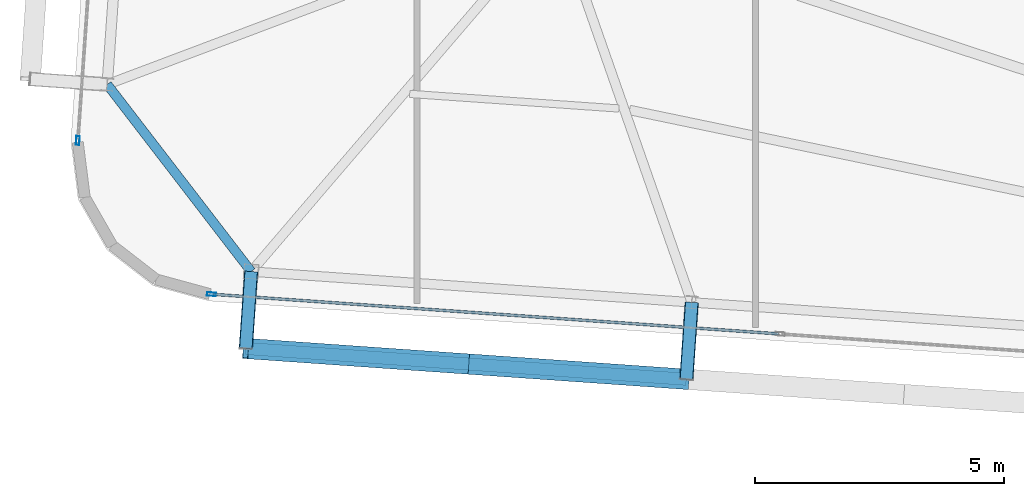
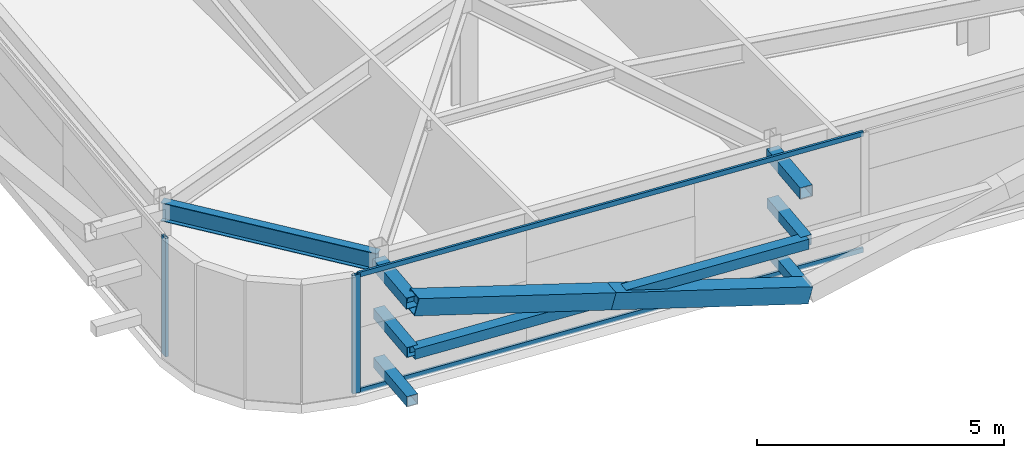
# One storey, part 6 of 39: 13 members, 1 beam, 2 elements without a shape of their own.
"""IFC4 building model written with IfcOpenShell, lengths in metres."""

from ifc_helpers import new_model, si_unit, direction, frame, origin, origin_2d, place, context, subcontext, project, spatial, hollow_rectangle, i_section, extrude, source, transform, mapped, material, layer, layer_set, material_profile, profile_set, type_object, element, aggregate, save


model = new_model("IFC4")

# Units and contexts
model_context = context("Model", 3, precision=1e-05, world=origin(), true_north=direction((0.0, 1.0)))
body_context = subcontext(model_context, "Body", "Model", "MODEL_VIEW")
ifc_project = project(units=[si_unit("LENGTHUNIT", "METRE"), si_unit("AREAUNIT", "SQUARE_METRE"), si_unit("VOLUMEUNIT", "CUBIC_METRE"), si_unit("PLANEANGLEUNIT", "RADIAN"), si_unit("MASSUNIT", "GRAM", prefix="KILO")], contexts=[model_context])

# Site, building, storey
site_placement = place(None, origin())
site = spatial("IfcSite", under=ifc_project, at=site_placement, CompositionType="ELEMENT")
building_placement = place(site_placement, origin())
building = spatial("IfcBuilding", under=site, at=building_placement, Name="Taldren Reach Tower", CompositionType="ELEMENT")
storey_placement = place(building_placement, frame((0.0, 0.0, 136.14990234375)))
storey = spatial("IfcBuildingStorey", under=building, at=storey_placement, Name="L41", CompositionType="ELEMENT", Elevation=136.14990234375)

# Members
ifc_material_1 = material(Name="Steel Gr 450 (C450L0)", Category="steel")
ifc_material_profile_1 = material_profile(ifc_material_1, hollow_rectangle(XDim=0.27490234375, YDim=0.27490234375, WallThickness=0.00927734375, at=origin_2d()), Name="275x275x9.3SHS")
ifc_profile_set_1 = profile_set([ifc_material_profile_1], Name="Steel Gr 450 (C450L0)")
member_type_1 = type_object("IfcMemberType", Name="MB-TIE273", PredefinedType="STRUT", material=ifc_profile_set_1)
shared_shape_1 = source(origin(), body_context, "Body", "SweptSolid", [
    extrude(hollow_rectangle(XDim=0.27490234375, YDim=0.27490234375, WallThickness=0.00927734375, at=origin_2d()), origin(), (0.0, 0.0, 1.0), 1.5498046875),
])
for number, where, z_axis, x_axis, name in (
    (1, (11.863525390625, 5.33837890625, 2.650146484375), (-0.069780535098, -0.997562367434, 0.0), (0.997562367434, -0.069780535098, 0.0), "Exoskeleton diaphragm tie strut B3-S1 L41"),
    (2, (20.721923828125, 4.718994140625, 2.650146484375), (-0.069780535098, -0.997562367434, 0.0), (0.997562367434, -0.069780535098, 0.0), "Exoskeleton diaphragm tie strut B3-S2 L41"),
):
    element("IfcMember", number, at=place(storey_placement, frame(where, z_axis=z_axis, x_axis=x_axis)), inside=storey, type_object=member_type_1, Name=name, PredefinedType="STRUT", context=body_context, shape_type="MappedRepresentation", body=[
        mapped(shared_shape_1, transform((0.0, 0.0, 0.0), scale=1.0)),
    ])
ifc_material_2 = material(Name="Steel Gr 350 (C350L0)", Category="steel")
ifc_material_profile_2 = material_profile(ifc_material_2, hollow_rectangle(XDim=0.25, YDim=0.25, WallThickness=0.010009765625, at=origin_2d()), Name="250x250x10.0SHS")
ifc_profile_set_2 = profile_set([ifc_material_profile_2], Name="Steel Gr 350 (C350L0)")
member_type_2 = type_object("IfcMemberType", Name="MB-POST250", PredefinedType="POST", material=ifc_profile_set_2)
shared_shape_2 = source(origin(), body_context, "Body", "SweptSolid", [
    extrude(hollow_rectangle(XDim=0.25, YDim=0.25, WallThickness=0.010009765625, at=origin_2d()), origin(), (0.0, 0.0, 1.0), 1.5498046875),
])
for number, where, z_axis, x_axis, name in (
    (3, (11.863525390625, 5.33837890625, 0.22021484375), (-0.069780535098, -0.997562367434, 0.0), (0.997562367434, -0.069780535098, 0.0), "Exoskeleton base diaphragm tie strut B3-S1 L41"),
    (4, (20.721923828125, 4.718994140625, 0.22021484375), (-0.069780535098, -0.997562367434, 0.0), (0.997562367434, -0.069780535098, 0.0), "Exoskeleton base diaphragm tie strut B3-S2 L41"),
    (5, (11.863525390625, 5.33837890625, 1.43505859375), (-0.069780535098, -0.997562367434, 0.0), (0.997562367434, -0.069780535098, 0.0), "Exoskeleton mid-tier diaphragm tie B3-S1 L41"),
    (6, (20.721923828125, 4.718994140625, 1.43505859375), (-0.069780535098, -0.997562367434, 0.0), (0.997562367434, -0.069780535098, 0.0), "Exoskeleton mid-tier diaphragm tie B3-S2 L41"),
):
    element("IfcMember", number, at=place(storey_placement, frame(where, z_axis=z_axis, x_axis=x_axis)), inside=storey, type_object=member_type_2, Name=name, PredefinedType="POST", context=body_context, shape_type="MappedRepresentation", body=[
        mapped(shared_shape_2, transform((0.0, 0.0, 0.0), scale=1.0)),
    ])

# Beam
ifc_material_3 = material(Name="Steel Gr 350 (350PLUS)", Category="steel")
ifc_material_profile_3 = material_profile(ifc_material_3, i_section(OverallWidth=0.18994140625, OverallDepth=0.4541015625, WebThickness=0.008544921875, FlangeThickness=0.0126953125, at=origin_2d()), Name="460UB67.1")
ifc_profile_set_3 = profile_set([ifc_material_profile_3], Name="Steel Gr 350 (350PLUS)")
beam_type = type_object("IfcBeamType", Name="SP-UB460B", PredefinedType="SPANDREL", material=ifc_profile_set_3)
shared_shape_3 = source(origin(), body_context, "Body", "SweptSolid", [
    extrude(i_section(OverallWidth=0.18994140625, OverallDepth=0.4541015625, WebThickness=0.008544921875, FlangeThickness=0.0126953125, at=origin_2d()), origin(), (0.0, 0.0, 1.0), 4.746337890625),
])
beam_placement = place(storey_placement, frame((8.96875, 9.099609375, 2.703125), z_axis=(0.609912099004, -0.792469072891, 0.0), x_axis=(0.792469072891, 0.609912099004, 0.0)))
element("IfcBeam", 7, at=beam_placement, inside=storey, type_object=beam_type, Name="Perimeter spandrel B3 W1-S1 L41", PredefinedType="SPANDREL", context=body_context, shape_type="MappedRepresentation", body=[
    mapped(shared_shape_3, transform((0.0, 0.0, 0.0), scale=1.0)),
])

# Members
shared_shape_4 = source(origin(), body_context, "Body", "SweptSolid", [
    extrude(hollow_rectangle(XDim=0.25, YDim=0.25, WallThickness=0.010009765625, at=origin_2d()), origin(), (0.0, 0.0, 1.0), 8.880126953125),
])
member_1_placement = place(storey_placement, frame((11.75537109375, 3.792236328125, 1.43505859375), z_axis=(0.997564479639, -0.069750333063, 0.0), x_axis=(0.069750333063, 0.997564479639, 0.0)))
element("IfcMember", 8, at=member_1_placement, inside=storey, type_object=member_type_2, Name="Exoskeleton mid-height ring chord B3-S1 L41", PredefinedType="POST", context=body_context, shape_type="MappedRepresentation", body=[
    mapped(shared_shape_4, transform((0.0, 0.0, 0.0), scale=1.0)),
])
ifc_material_profile_4 = material_profile(ifc_material_1, hollow_rectangle(XDim=0.409912109375, YDim=0.409912109375, WallThickness=0.01611328125, at=origin_2d()), Name="410x410x16.0SHS")
ifc_profile_set_4 = profile_set([ifc_material_profile_4], Name="Steel Gr 450 (C450L0)")
member_type_3 = type_object("IfcMemberType", Name="MB-EXO406", PredefinedType="BRACE", material=ifc_profile_set_4)
shared_shape_5 = source(origin(), body_context, "Body", "SweptSolid", [
    extrude(hollow_rectangle(XDim=0.409912109375, YDim=0.409912109375, WallThickness=0.01611328125, at=origin_2d()), origin(), (0.0, 0.0, 1.0), 4.603271484375),
])
for number, where, z_axis, x_axis, name in (
    (9, (20.61376953125, 3.1728515625, 0.22021484375), (-0.962199253371, 0.067251055742, 0.263912660389), (-0.069722973508, -0.997566392259, 0.0), "Exoskeleton Diagrid Brace B3-S1 L41"),
    (10, (16.1845703125, 3.482421875, 1.43505859375), (-0.962182351074, 0.067302910567, 0.263961060594), (-0.06977769246, -0.997562566276, 0.0), "Exoskeleton Diagrid Brace B3-S1 L41"),
):
    element("IfcMember", number, at=place(storey_placement, frame(where, z_axis=z_axis, x_axis=x_axis)), inside=storey, type_object=member_type_3, Name=name, PredefinedType="BRACE", context=body_context, shape_type="MappedRepresentation", body=[
        mapped(shared_shape_5, transform((0.0, 0.0, 0.0), scale=1.0)),
    ])

# Curtain wall, member
ifc_material_4 = material(Name="Aluminium and Low-E Glass Unitised System", Category="aluminium")
ifc_layer = layer(ifc_material_4, 0.159912109375)
ifc_layer_set = layer_set([ifc_layer], Name="Aluminium and Low-E Glass Unitised System")
curtain_wall_type = type_object("IfcCurtainWallType", Name="CW-SYS-4", PredefinedType="NOTDEFINED", material=ifc_layer_set)
curtain_wall_1_placement = place(storey_placement, origin())
curtain_wall_1 = element("IfcCurtainWall", 11, at=curtain_wall_1_placement, inside=storey, type_object=curtain_wall_type, Name="Unitised curtain wall CW-L41-S", PredefinedType="NOTDEFINED")
ifc_material_5 = material(Name="Anodised Aluminium 6063-T6", Category="aluminium")
ifc_material_profile_5 = material_profile(ifc_material_5, hollow_rectangle(XDim=0.070068359375, YDim=0.179931640625, WallThickness=0.00390625, at=origin_2d()), Name="ALU-180x70x4RHS")
ifc_profile_set_5 = profile_set([ifc_material_profile_5], Name="Anodised Aluminium 6063-T6")
member_type_4 = type_object("IfcMemberType", Name="CW-MUL-180", PredefinedType="MULLION", material=ifc_profile_set_5)
shared_shape_6 = source(origin(), body_context, "Body", "SweptSolid", [
    extrude(hollow_rectangle(XDim=0.070068359375, YDim=0.179931640625, WallThickness=0.00390625, at=origin_2d()), origin(), (0.0, 0.0, 1.0), 2.93017578125),
])
member_2_placement = place(storey_placement, frame((11.06494140625, 4.883056640625, 0.0), z_axis=(0.0, 0.0, 1.0), x_axis=(0.06975651593, 0.99756404731, 0.0)))
member_2 = element("IfcMember", 12, at=member_2_placement, type_object=member_type_4, Name="CW-4 mullion 1", PredefinedType="MULLION", context=body_context, shape_type="MappedRepresentation", body=[
    mapped(shared_shape_6, transform((0.0, 0.0, 0.0), scale=1.0)),
])

curtain_wall_2_placement = place(storey_placement, origin())
curtain_wall_2 = element("IfcCurtainWall", 13, at=curtain_wall_2_placement, inside=storey, type_object=curtain_wall_type, Name="Unitised curtain wall CW-L41-W", PredefinedType="NOTDEFINED")
member_3_placement = place(storey_placement, frame((8.37890625, 7.972900390625, 0.0), z_axis=(0.0, 0.0, 1.0), x_axis=(0.997564052812, -0.069756437251, 0.0)))
member_3 = element("IfcMember", 14, at=member_3_placement, type_object=member_type_4, Name="CW-4 mullion 3", PredefinedType="MULLION", context=body_context, shape_type="MappedRepresentation", body=[
    mapped(shared_shape_6, transform((0.0, 0.0, 0.0), scale=1.0)),
])
aggregate(curtain_wall_2, [member_3])

# Member
ifc_material_profile_6 = material_profile(ifc_material_5, hollow_rectangle(XDim=0.054931640625, YDim=0.1201171875, WallThickness=0.0029296875, at=origin_2d()), Name="ALU-120x55x3RHS")
ifc_profile_set_6 = profile_set([ifc_material_profile_6], Name="Anodised Aluminium 6063-T6")
member_type_5 = type_object("IfcMemberType", Name="CW-TRN-135", PredefinedType="USERDEFINED", material=ifc_profile_set_6)
shared_shape_7 = source(origin(), body_context, "Body", "SweptSolid", [
    extrude(hollow_rectangle(XDim=0.054931640625, YDim=0.1201171875, WallThickness=0.0029296875, at=origin_2d()), origin(), (0.0, 0.0, 1.0), 11.39501953125),
])
member_4_placement = place(storey_placement, frame((11.099853515625, 4.880615234375, 0.027587890625), z_axis=(0.997563740682, -0.069760900766, 0.0), x_axis=(0.069760900766, 0.997563740682, 0.0)))
member_4 = element("IfcMember", 15, at=member_4_placement, type_object=member_type_5, Name="CW-4 transom 1.1", ObjectType="TRANSOM", PredefinedType="USERDEFINED", context=body_context, shape_type="MappedRepresentation", body=[
    mapped(shared_shape_7, transform((0.0, 0.0, 0.0), scale=1.0)),
])

member_5_placement = place(storey_placement, frame((11.099853515625, 4.880615234375, 2.902587890625), z_axis=(0.997563740682, -0.069760900766, 0.0), x_axis=(0.069760900766, 0.997563740682, 0.0)))
member_5 = element("IfcMember", 16, at=member_5_placement, type_object=member_type_5, Name="CW-4 transom 1.2", ObjectType="TRANSOM", PredefinedType="USERDEFINED", context=body_context, shape_type="MappedRepresentation", body=[
    mapped(shared_shape_7, transform((0.0, 0.0, 0.0), scale=1.0)),
])

aggregate(curtain_wall_1, [member_2, member_4, member_5])

save(model, "model.ifc")
